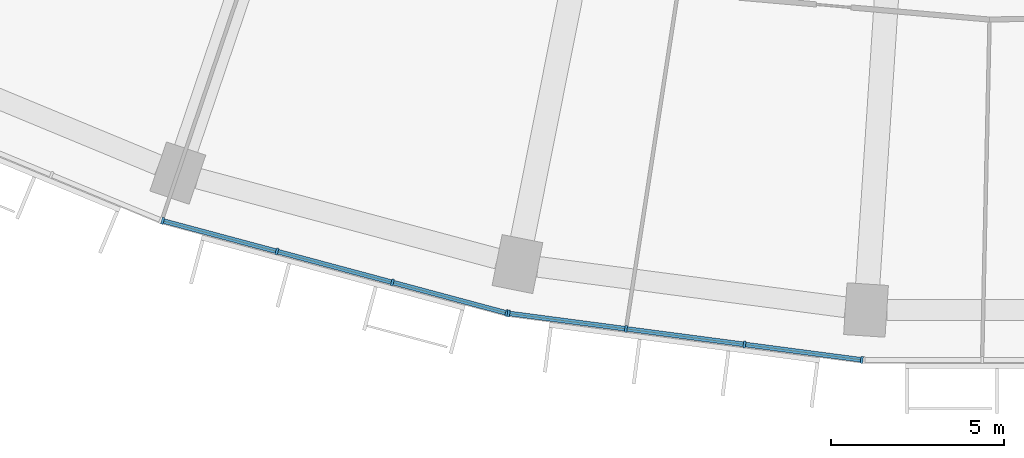
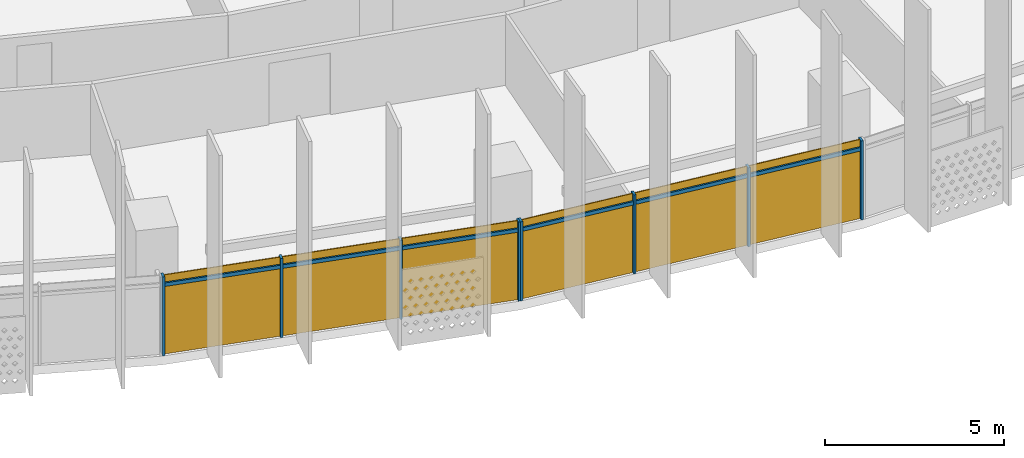
# One storey, part 20 of 30: 14 members, 2 curtain walls.
"""IFC4 building model written with IfcOpenShell, lengths in metres."""

from ifc_helpers import new_model, si_unit, direction, frame, origin, origin_2d, place, context, subcontext, project, spatial, rectangle, extrude, material, material_profile, profile_set, type_object, element, aggregate, save


model = new_model("IFC4")

# Units and contexts
model_context = context("Model", 3, precision=1e-05, world=origin(), true_north=direction((0.0, 1.0)))
body_context = subcontext(model_context, "Body", "Model", "MODEL_VIEW")
ifc_project = project(units=[si_unit("LENGTHUNIT", "METRE"), si_unit("AREAUNIT", "SQUARE_METRE"), si_unit("VOLUMEUNIT", "CUBIC_METRE"), si_unit("PLANEANGLEUNIT", "RADIAN"), si_unit("MASSUNIT", "GRAM", prefix="KILO")], contexts=[model_context])

# Member
ifc_material = material(Name="Aluminium 6063-T6 anodised", Category="aluminium")
ifc_material_profile_1 = material_profile(ifc_material, rectangle(XDim=0.199951171875, YDim=0.070068359375, at=origin_2d()))
ifc_profile_set_1 = profile_set([ifc_material_profile_1], Name="Aluminium 6063-T6 anodised")
member_type_1 = type_object("IfcMemberType", Name="Mullion 70 x 200 aluminium", PredefinedType="MULLION", material=ifc_profile_set_1)
site_placement = place(None, origin())
building_placement = place(site_placement, origin())
storey_placement = place(building_placement, frame((0.0, 0.0, 125.300048828125)))
member_1_placement = place(storey_placement, frame((-25.430419921875, -75.00390625, 0.0), z_axis=(0.0, 0.0, 1.0), x_axis=(0.258819045103, 0.965925826289, 0.0)))
member_1 = element("IfcMember", 1, at=member_1_placement, type_object=member_type_1, Name="e-cw1-L28-out07/M00", PredefinedType="MULLION", context=body_context, shape_type="SweptSolid", body=[
    extrude(rectangle(XDim=0.199951171875, YDim=0.070068359375, at=origin_2d()), origin(), (0.0, 0.0, 1.0), 2.699951171875),
])

member_2_placement = place(storey_placement, frame((-22.12451171875, -75.889892578125, 0.0), z_axis=(0.0, 0.0, 1.0), x_axis=(0.258819045103, 0.965925826289, 0.0)))
member_2 = element("IfcMember", 2, at=member_2_placement, type_object=member_type_1, Name="e-cw1-L28-out07/M01", PredefinedType="MULLION", context=body_context, shape_type="SweptSolid", body=[
    extrude(rectangle(XDim=0.199951171875, YDim=0.070068359375, at=origin_2d()), origin(), (0.0, 0.0, 1.0), 2.699951171875),
])

member_3_placement = place(storey_placement, frame((-18.78466796875, -76.78466796875, 0.0), z_axis=(0.0, 0.0, 1.0), x_axis=(0.258819045103, 0.965925826289, 0.0)))
member_3 = element("IfcMember", 3, at=member_3_placement, type_object=member_type_1, Name="e-cw1-L28-out07/M02", PredefinedType="MULLION", context=body_context, shape_type="SweptSolid", body=[
    extrude(rectangle(XDim=0.199951171875, YDim=0.070068359375, at=origin_2d()), origin(), (0.0, 0.0, 1.0), 2.699951171875),
])

member_4_placement = place(storey_placement, frame((-15.478515625, -77.670654296875, 0.0), z_axis=(0.0, 0.0, 1.0), x_axis=(0.258819045103, 0.965925826289, 0.0)))
member_4 = element("IfcMember", 4, at=member_4_placement, type_object=member_type_1, Name="e-cw1-L28-out07/M03", PredefinedType="MULLION", context=body_context, shape_type="SweptSolid", body=[
    extrude(rectangle(XDim=0.199951171875, YDim=0.070068359375, at=origin_2d()), origin(), (0.0, 0.0, 1.0), 2.699951171875),
])

member_5_placement = place(storey_placement, frame((-15.4228515625, -77.681640625, 0.0), z_axis=(0.0, 0.0, 1.0), x_axis=(0.13052619222, 0.991444861374, 0.0)))
member_5 = element("IfcMember", 5, at=member_5_placement, type_object=member_type_1, Name="e-cw1-L28-out08/M00", PredefinedType="MULLION", context=body_context, shape_type="SweptSolid", body=[
    extrude(rectangle(XDim=0.199951171875, YDim=0.070068359375, at=origin_2d()), origin(), (0.0, 0.0, 1.0), 2.699951171875),
])

member_6_placement = place(storey_placement, frame((-12.029541015625, -78.12841796875, 0.0), z_axis=(0.0, 0.0, 1.0), x_axis=(0.13052619222, 0.991444861374, 0.0)))
member_6 = element("IfcMember", 6, at=member_6_placement, type_object=member_type_1, Name="e-cw1-L28-out08/M01", PredefinedType="MULLION", context=body_context, shape_type="SweptSolid", body=[
    extrude(rectangle(XDim=0.199951171875, YDim=0.070068359375, at=origin_2d()), origin(), (0.0, 0.0, 1.0), 2.699951171875),
])

member_7_placement = place(storey_placement, frame((-8.6015625, -78.579833984375, 0.0), z_axis=(0.0, 0.0, 1.0), x_axis=(0.13052619222, 0.991444861374, 0.0)))
member_7 = element("IfcMember", 7, at=member_7_placement, type_object=member_type_1, Name="e-cw1-L28-out08/M02", PredefinedType="MULLION", context=body_context, shape_type="SweptSolid", body=[
    extrude(rectangle(XDim=0.199951171875, YDim=0.070068359375, at=origin_2d()), origin(), (0.0, 0.0, 1.0), 2.699951171875),
])

member_8_placement = place(storey_placement, frame((-5.2080078125, -79.026611328125, 0.0), z_axis=(0.0, 0.0, 1.0), x_axis=(0.13052619222, 0.991444861374, 0.0)))
member_8 = element("IfcMember", 8, at=member_8_placement, type_object=member_type_1, Name="e-cw1-L28-out08/M03", PredefinedType="MULLION", context=body_context, shape_type="SweptSolid", body=[
    extrude(rectangle(XDim=0.199951171875, YDim=0.070068359375, at=origin_2d()), origin(), (0.0, 0.0, 1.0), 2.699951171875),
])

ifc_material_profile_2 = material_profile(ifc_material, rectangle(XDim=0.139892578125, YDim=0.1201171875, at=origin_2d()))
ifc_profile_set_2 = profile_set([ifc_material_profile_2], Name="Aluminium 6063-T6 anodised")
member_type_2 = type_object("IfcMemberType", Name="Transom 120 x 140 aluminium", PredefinedType="USERDEFINED", material=ifc_profile_set_2)
member_9_placement = place(storey_placement, frame((-25.396728515625, -75.01318359375, 2.39990234375), z_axis=(0.965932125453, -0.258795535157, 0.0), x_axis=(0.258795535157, 0.965932125453, 0.0)))
member_9 = element("IfcMember", 9, at=member_9_placement, type_object=member_type_2, Name="e-cw1-L28-out07/T00", ObjectType="TRANSOM", PredefinedType="USERDEFINED", context=body_context, shape_type="SweptSolid", body=[
    extrude(rectangle(XDim=0.139892578125, YDim=0.1201171875, at=origin_2d()), origin(), (0.0, 0.0, 1.0), 3.352783203125),
])

member_10_placement = place(storey_placement, frame((-22.090576171875, -75.89892578125, 2.39990234375), z_axis=(0.965931646033, -0.258797324547, 0.0), x_axis=(0.258797324547, 0.965931646033, 0.0)))
member_10 = element("IfcMember", 10, at=member_10_placement, type_object=member_type_2, Name="e-cw1-L28-out07/T01", ObjectType="TRANSOM", PredefinedType="USERDEFINED", context=body_context, shape_type="SweptSolid", body=[
    extrude(rectangle(XDim=0.139892578125, YDim=0.1201171875, at=origin_2d()), origin(), (0.0, 0.0, 1.0), 3.3876953125),
])

member_11_placement = place(storey_placement, frame((-18.750732421875, -76.7939453125, 2.39990234375), z_axis=(0.965927247937, -0.258813739382, 0.0), x_axis=(0.258813739382, 0.965927247937, 0.0)))
member_11 = element("IfcMember", 11, at=member_11_placement, type_object=member_type_2, Name="e-cw1-L28-out07/T02", ObjectType="TRANSOM", PredefinedType="USERDEFINED", context=body_context, shape_type="SweptSolid", body=[
    extrude(rectangle(XDim=0.139892578125, YDim=0.1201171875, at=origin_2d()), origin(), (0.0, 0.0, 1.0), 3.3525390625),
])

member_12_placement = place(storey_placement, frame((-15.38818359375, -77.686279296875, 2.39990234375), z_axis=(0.991449089759, -0.130494070426, 0.0), x_axis=(0.130494070426, 0.991449089759, 0.0)))
member_12 = element("IfcMember", 12, at=member_12_placement, type_object=member_type_2, Name="e-cw1-L28-out08/T00", ObjectType="TRANSOM", PredefinedType="USERDEFINED", context=body_context, shape_type="SweptSolid", body=[
    extrude(rectangle(XDim=0.139892578125, YDim=0.1201171875, at=origin_2d()), origin(), (0.0, 0.0, 1.0), 3.3525390625),
])

member_13_placement = place(storey_placement, frame((-11.994873046875, -78.133056640625, 2.39990234375), z_axis=(0.991446198807, -0.130516033004, 0.0), x_axis=(0.130516033004, 0.991446198807, 0.0)))
member_13 = element("IfcMember", 13, at=member_13_placement, type_object=member_type_2, Name="e-cw1-L28-out08/T01", ObjectType="TRANSOM", PredefinedType="USERDEFINED", context=body_context, shape_type="SweptSolid", body=[
    extrude(rectangle(XDim=0.139892578125, YDim=0.1201171875, at=origin_2d()), origin(), (0.0, 0.0, 1.0), 3.3876953125),
])

member_14_placement = place(storey_placement, frame((-8.56689453125, -78.584228515625, 2.39990234375), z_axis=(0.991439665896, -0.130565649721, 0.0), x_axis=(0.130565649721, 0.991439665896, 0.0)))
member_14 = element("IfcMember", 14, at=member_14_placement, type_object=member_type_2, Name="e-cw1-L28-out08/T02", ObjectType="TRANSOM", PredefinedType="USERDEFINED", context=body_context, shape_type="SweptSolid", body=[
    extrude(rectangle(XDim=0.139892578125, YDim=0.1201171875, at=origin_2d()), origin(), (0.0, 0.0, 1.0), 3.352783203125),
])

# Site, building, storey
site = spatial("IfcSite", under=ifc_project, at=site_placement, CompositionType="ELEMENT")
building = spatial("IfcBuilding", under=site, at=building_placement, Name="Qamariyya Broadcast Tower", CompositionType="ELEMENT")
storey = spatial("IfcBuildingStorey", under=building, at=storey_placement, Name="L28", CompositionType="ELEMENT", Elevation=125.300048828125)

# Curtain wall
curtain_wall_type = type_object("IfcCurtainWallType", Name="Unitised curtain wall, anodised aluminium", PredefinedType="NOTDEFINED", material=ifc_material)
curtain_wall_1_placement = place(storey_placement, origin())
curtain_wall_1 = element("IfcCurtainWall", 15, at=curtain_wall_1_placement, inside=storey, type_object=curtain_wall_type, Name="e-cw1-L28-out07", PredefinedType="NOTDEFINED", context=body_context, shape_type="SweptSolid", body=[
    extrude(rectangle(XDim=3.352783203125, YDim=0.031982421875, at=origin_2d()), frame((-23.777587890625, -75.44677734375, 0.0), x_axis=(0.965923677743, -0.258827063454, 0.0)), (0.0, 0.0, 1.0), 2.340087890625),
    extrude(rectangle(XDim=3.352783203125, YDim=0.031982421875, at=origin_2d()), frame((-23.777587890625, -75.44677734375, 2.4599609375), x_axis=(0.965923677743, -0.258827063454, 0.0)), (0.0, 0.0, 1.0), 0.239990234375),
    extrude(rectangle(XDim=3.3876953125, YDim=0.031982421875, at=origin_2d()), frame((-20.45458984375, -76.33740234375, 0.0), x_axis=(0.965923677743, -0.258827063454, 0.0)), (0.0, 0.0, 1.0), 2.340087890625),
    extrude(rectangle(XDim=3.3876953125, YDim=0.031982421875, at=origin_2d()), frame((-20.45458984375, -76.33740234375, 2.4599609375), x_axis=(0.965923677743, -0.258827063454, 0.0)), (0.0, 0.0, 1.0), 0.239990234375),
    extrude(rectangle(XDim=3.352783203125, YDim=0.031982421875, at=origin_2d()), frame((-17.131591796875, -77.227783203125, 0.0), x_axis=(0.965923677743, -0.258827063454, 0.0)), (0.0, 0.0, 1.0), 2.340087890625),
    extrude(rectangle(XDim=3.352783203125, YDim=0.031982421875, at=origin_2d()), frame((-17.131591796875, -77.227783203125, 2.4599609375), x_axis=(0.965923677743, -0.258827063454, 0.0)), (0.0, 0.0, 1.0), 0.239990234375),
])

aggregate(curtain_wall_1, [member_1, member_2, member_3, member_4, member_9, member_10, member_11])

curtain_wall_2_placement = place(storey_placement, origin())
curtain_wall_2 = element("IfcCurtainWall", 16, at=curtain_wall_2_placement, inside=storey, type_object=curtain_wall_type, Name="e-cw1-L28-out08", PredefinedType="NOTDEFINED", context=body_context, shape_type="SweptSolid", body=[
    extrude(rectangle(XDim=3.3525390625, YDim=0.031982421875, at=origin_2d()), frame((-13.72607421875, -77.9052734375, 0.0), x_axis=(0.991447084105, -0.13050930779, 0.0)), (0.0, 0.0, 1.0), 2.340087890625),
    extrude(rectangle(XDim=3.3525390625, YDim=0.031982421875, at=origin_2d()), frame((-13.72607421875, -77.9052734375, 2.4599609375), x_axis=(0.991447084105, -0.13050930779, 0.0)), (0.0, 0.0, 1.0), 0.239990234375),
    extrude(rectangle(XDim=3.3876953125, YDim=0.031982421875, at=origin_2d()), frame((-10.3154296875, -78.35400390625, 0.0), x_axis=(0.991447084105, -0.13050930779, 0.0)), (0.0, 0.0, 1.0), 2.340087890625),
    extrude(rectangle(XDim=3.3876953125, YDim=0.031982421875, at=origin_2d()), frame((-10.3154296875, -78.35400390625, 2.4599609375), x_axis=(0.991447084105, -0.13050930779, 0.0)), (0.0, 0.0, 1.0), 0.239990234375),
    extrude(rectangle(XDim=3.3525390625, YDim=0.031982421875, at=origin_2d()), frame((-6.90478515625, -78.802978515625, 0.0), x_axis=(0.991447084105, -0.13050930779, 0.0)), (0.0, 0.0, 1.0), 2.340087890625),
    extrude(rectangle(XDim=3.3525390625, YDim=0.031982421875, at=origin_2d()), frame((-6.90478515625, -78.802978515625, 2.4599609375), x_axis=(0.991447084105, -0.13050930779, 0.0)), (0.0, 0.0, 1.0), 0.239990234375),
])

aggregate(curtain_wall_2, [member_5, member_6, member_7, member_8, member_12, member_13, member_14])

save(model, "model.ifc")
